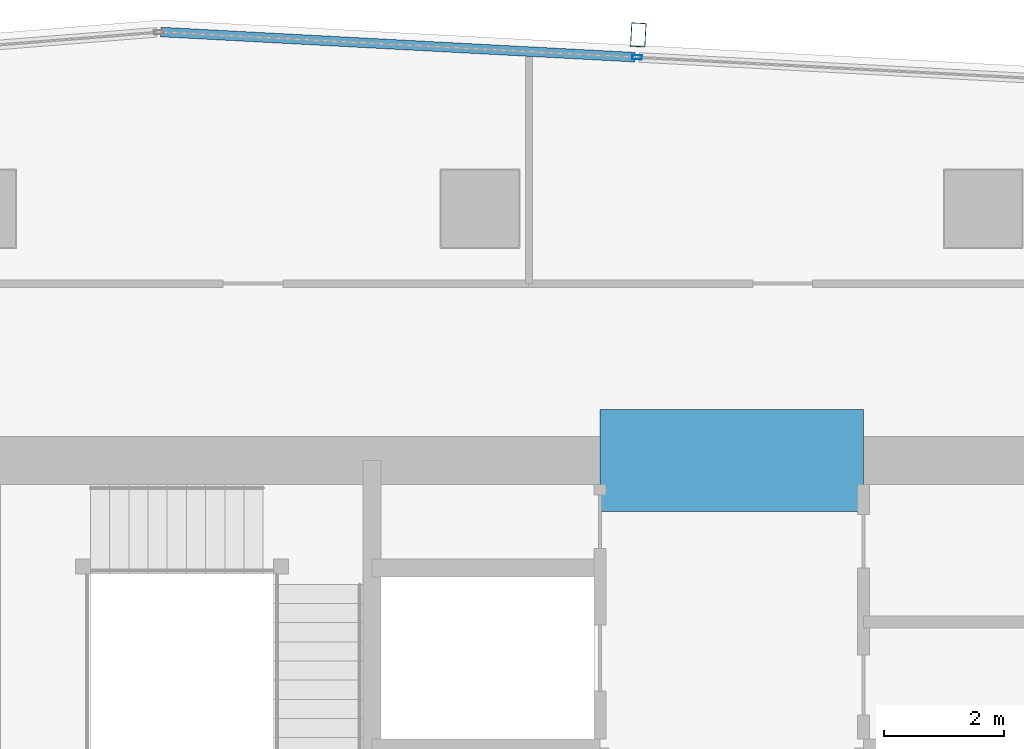
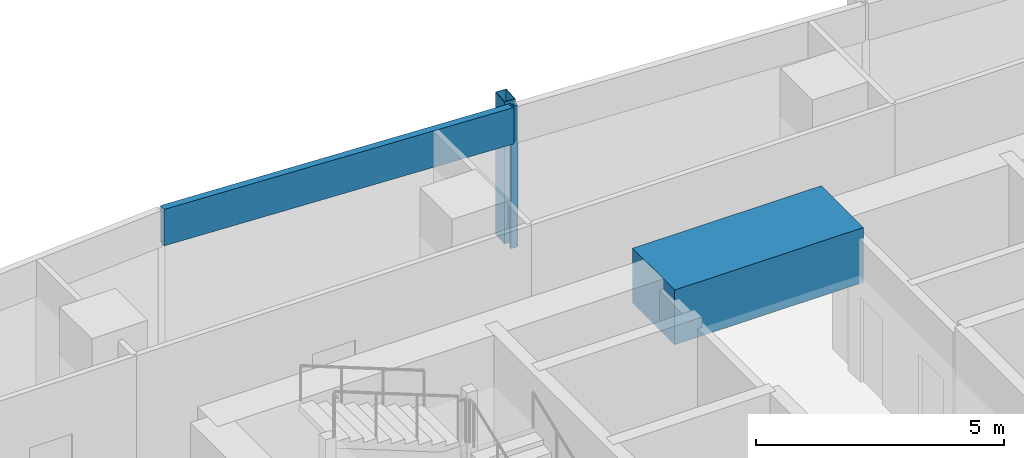
# One storey, part 17 of 29: 3 members, 1 beam, 1 element without a shape of its own.
"""IFC4 building model written with IfcOpenShell, lengths in metres."""

from ifc_helpers import new_model, si_unit, direction, frame, origin, origin_2d, place, context, subcontext, project, spatial, rectangle, hollow_rectangle, extrude, material, material_profile, profile_set, type_object, element, aggregate, save


model = new_model("IFC4")

# Units and contexts
model_context = context("Model", 3, precision=1e-05, world=origin(), true_north=direction((0.0, 1.0)))
body_context = subcontext(model_context, "Body", "Model", "MODEL_VIEW")
ifc_project = project(units=[si_unit("LENGTHUNIT", "METRE"), si_unit("AREAUNIT", "SQUARE_METRE"), si_unit("VOLUMEUNIT", "CUBIC_METRE"), si_unit("PLANEANGLEUNIT", "RADIAN"), si_unit("MASSUNIT", "GRAM", prefix="KILO")], contexts=[model_context])

# Site, building, storey
site_placement = place(None, origin())
site = spatial("IfcSite", under=ifc_project, at=site_placement, CompositionType="ELEMENT")
building_placement = place(site_placement, origin())
building = spatial("IfcBuilding", under=site, at=building_placement, Name="Rekha Terrace Tower", CompositionType="ELEMENT")
storey_placement = place(building_placement, frame((0.0, 0.0, 261.35009765625)))
storey = spatial("IfcBuildingStorey", under=building, at=storey_placement, Name="L66", CompositionType="ELEMENT", Elevation=261.35009765625)

# Curtain wall, members
ifc_material_1 = material(Name="Aluminium framing", Category="aluminium")
curtain_wall_type = type_object("IfcCurtainWallType", Name="CW3 north unitised glazing", PredefinedType="USERDEFINED", material=ifc_material_1)
curtain_wall_placement = place(storey_placement, origin())
curtain_wall = element("IfcCurtainWall", 1, at=curtain_wall_placement, inside=storey, type_object=curtain_wall_type, Name="CW3 unitised curtain wall", ObjectType="UNITISED CURTAIN WALL", PredefinedType="USERDEFINED")
ifc_material_2 = material(Name="Steel S355 with fluorocarbon finish", Category="steel")
ifc_material_profile_1 = material_profile(ifc_material_2, hollow_rectangle(XDim=0.25, YDim=0.39990234375, WallThickness=0.012451171875, at=origin_2d()), Name="RHS400x250x12.5")
ifc_profile_set_1 = profile_set([ifc_material_profile_1], Name="Steel S355 with fluorocarbon finish")
member_type_1 = type_object("IfcMemberType", Name="BL1 facade blade RHS 400 x 250", PredefinedType="USERDEFINED", material=ifc_profile_set_1)
member_1_placement = place(storey_placement, frame((36.24267578125, 53.301513671875, 0.0), z_axis=(0.0, 0.0, 1.0), x_axis=(-0.998590068481, 0.053083661621, 0.0)))
member_1 = element("IfcMember", 2, at=member_1_placement, type_object=member_type_1, Name="Facade blade", ObjectType="FACADE BLADE", PredefinedType="USERDEFINED", context=body_context, shape_type="SweptSolid", body=[
    extrude(hollow_rectangle(XDim=0.25, YDim=0.39990234375, WallThickness=0.012451171875, at=origin_2d()), origin(), (0.0, 0.0, 1.0), 3.5),
])
ifc_material_3 = material(Name="Aluminium mullion section", Category="aluminium")
ifc_material_profile_2 = material_profile(ifc_material_3, hollow_rectangle(XDim=0.070068359375, YDim=0.159912109375, WallThickness=0.00390625, at=origin_2d()), Name="AL RHS 70x160")
ifc_profile_set_2 = profile_set([ifc_material_profile_2], Name="Aluminium mullion section")
member_type_2 = type_object("IfcMemberType", Name="CW3 mullion RHS 70 x 160", PredefinedType="MULLION", material=ifc_profile_set_2)
member_2_placement = place(storey_placement, frame((36.22265625, 52.927001953125, 0.0), z_axis=(0.0, 0.0, 1.0), x_axis=(-0.053083275524, -0.998590089005, 0.0)))
member_2 = element("IfcMember", 3, at=member_2_placement, type_object=member_type_2, Name="CW3 mullion 4", PredefinedType="MULLION", context=body_context, shape_type="SweptSolid", body=[
    extrude(hollow_rectangle(XDim=0.070068359375, YDim=0.159912109375, WallThickness=0.00390625, at=origin_2d()), origin(), (0.0, 0.0, 1.0), 3.5),
])
ifc_material_4 = material(Name="Insulated aluminium spandrel box", Category="aluminium")
ifc_material_profile_3 = material_profile(ifc_material_4, hollow_rectangle(XDim=0.159912109375, YDim=0.89990234375, WallThickness=0.0029296875, at=origin_2d()), Name="AL SPANDREL BOX 160x900")
ifc_profile_set_3 = profile_set([ifc_material_profile_3], Name="Insulated aluminium spandrel box")
member_type_3 = type_object("IfcMemberType", Name="CW3 spandrel transom 160 x 900", PredefinedType="USERDEFINED", material=ifc_profile_set_3)
member_3_placement = place(storey_placement, frame((36.187744140625, 52.9287109375, 3.0498046875), z_axis=(-0.998589092231, 0.053102023288, 0.0), x_axis=(-0.053102023288, -0.998589092231, 0.0)))
member_3 = element("IfcMember", 4, at=member_3_placement, type_object=member_type_3, Name="CW3 spandrel transom 4", ObjectType="TRANSOM", PredefinedType="USERDEFINED", context=body_context, shape_type="SweptSolid", body=[
    extrude(hollow_rectangle(XDim=0.159912109375, YDim=0.89990234375, WallThickness=0.0029296875, at=origin_2d()), origin(), (0.0, 0.0, 1.0), 7.92626953125),
])
aggregate(curtain_wall, [member_2, member_3, member_1])

# Beam
ifc_material_5 = material(Name="Concrete M60", Category="concrete")
ifc_material_profile_4 = material_profile(ifc_material_5, rectangle(XDim=1.699951171875, YDim=1.35009765625, at=origin_2d()), Name="RC 1700x1350")
ifc_profile_set_4 = profile_set([ifc_material_profile_4], Name="Concrete M60")
beam_type = type_object("IfcBeamType", Name="LB5A 1700x1350 diagonally reinforced coupling beam", PredefinedType="LINTEL", material=ifc_profile_set_4)
beam_placement = place(storey_placement, frame((35.60009765625, 46.199951171875, 3.074951171875), z_axis=(1.0, 0.0, 0.0), x_axis=(0.0, 1.0, 0.0)))
element("IfcBeam", 5, at=beam_placement, inside=storey, type_object=beam_type, Name="Coupling beam LB5A N L66", PredefinedType="LINTEL", context=body_context, shape_type="SweptSolid", body=[
    extrude(rectangle(XDim=1.699951171875, YDim=1.35009765625, at=origin_2d()), origin(), (0.0, 0.0, 1.0), 4.39990234375),
])

save(model, "model.ifc")
